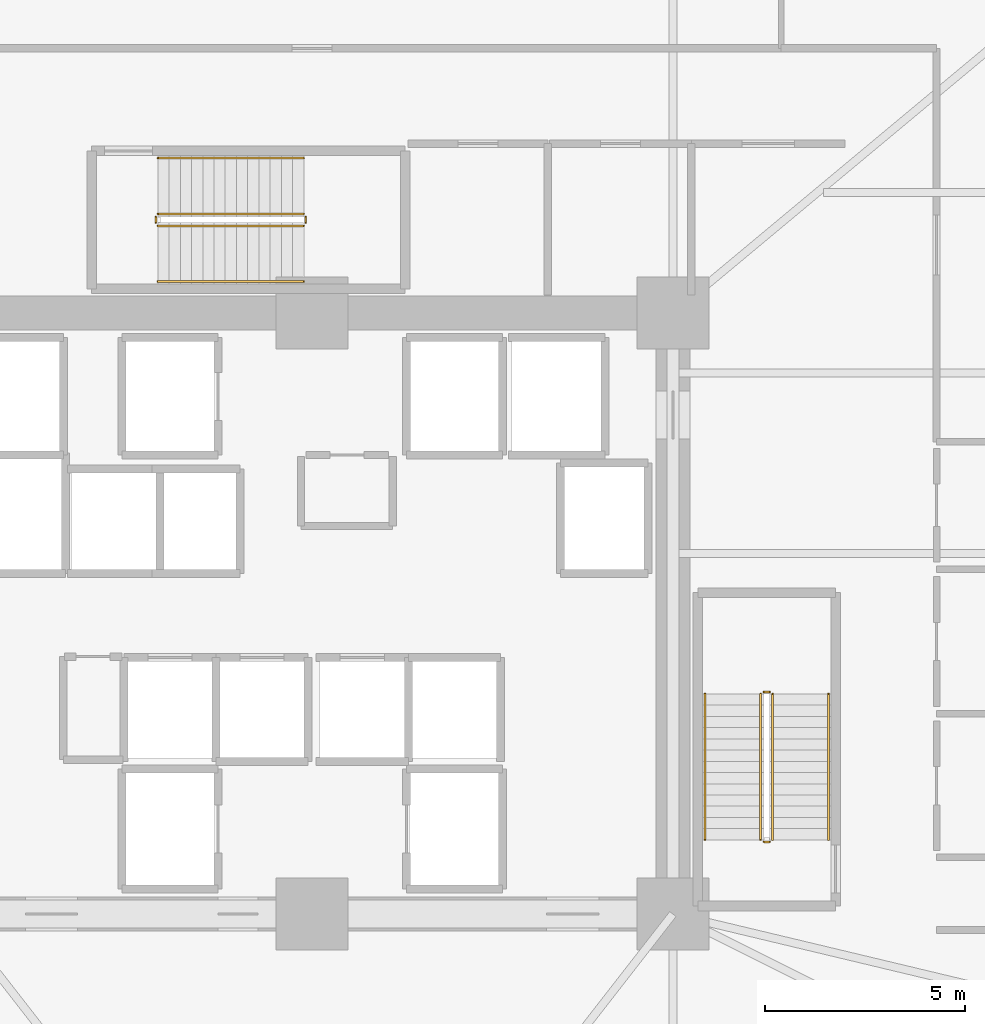
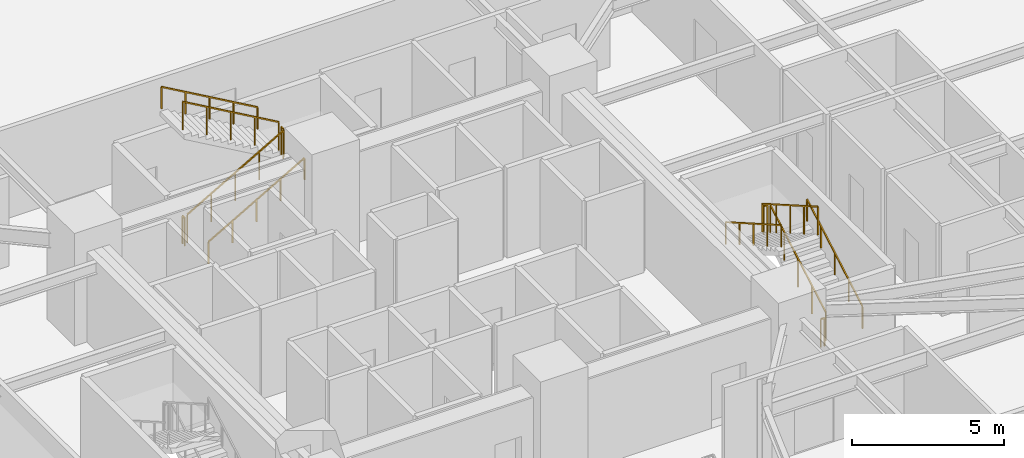
# One storey, part 17 of 19: 12 railings.
"""IFC4 building model written with IfcOpenShell, lengths in metres."""

from ifc_helpers import new_model, si_unit, direction, frame, origin, origin_2d, place, context, subcontext, project, spatial, rectangle, extrude, material, type_object, element, save


model = new_model("IFC4")

# Units and contexts
model_context = context("Model", 3, precision=1e-05, world=origin(), true_north=direction((0.0, 1.0)))
body_context = subcontext(model_context, "Body", "Model", "MODEL_VIEW")
ifc_project = project(units=[si_unit("LENGTHUNIT", "METRE"), si_unit("AREAUNIT", "SQUARE_METRE"), si_unit("VOLUMEUNIT", "CUBIC_METRE"), si_unit("PLANEANGLEUNIT", "RADIAN"), si_unit("MASSUNIT", "GRAM", prefix="KILO")], contexts=[model_context])

# Site, building, storey
site_placement = place(None, origin())
site = spatial("IfcSite", under=ifc_project, at=site_placement, CompositionType="ELEMENT")
building_placement = place(site_placement, origin())
building = spatial("IfcBuilding", under=site, at=building_placement, Name="Liaohun Quay Tower", CompositionType="ELEMENT")
storey_placement = place(building_placement, frame((0.0, 0.0, 18.89990234375)))
storey = spatial("IfcBuildingStorey", under=building, at=storey_placement, Name="L05", CompositionType="ELEMENT", Elevation=18.89990234375)

# Railings
ifc_material_1 = material(Name="Painted tubular steel", Category="steel")
railing_type_1 = type_object("IfcRailingType", Name="RLG-GUARD-STR", PredefinedType="GUARDRAIL", material=ifc_material_1)
railing_1_placement = place(storey_placement, frame((71.489990234375, 48.35009765625, 0.160888671875)))
element("IfcRailing", 1, at=railing_1_placement, inside=storey, type_object=railing_type_1, Name="L05 ST-2 stair guard 1", PredefinedType="GUARDRAIL", context=body_context, shape_type="SweptSolid", body=[
    extrude(rectangle(XDim=0.048095703125, YDim=0.048095703125, at=origin_2d()), frame((0.0, 0.0, 1.1259765625), z_axis=(0.0, 0.867300072446, 0.497785681127), x_axis=(-1.0, 0.0, 0.0)), (0.0, 0.0, 1.0), 4.19677734375),
    extrude(rectangle(XDim=0.0419921875, YDim=0.0419921875, at=origin_2d()), origin(), (0.0, 0.0, 1.0), 1.101806640625),
    extrude(rectangle(XDim=0.0419921875, YDim=0.0419921875, at=origin_2d()), frame((0.0, 0.909912109375, 0.522216796875)), (0.0, 0.0, 1.0), 1.101806640625),
    extrude(rectangle(XDim=0.0419921875, YDim=0.0419921875, at=origin_2d()), frame((0.0, 1.81982421875, 1.04443359375)), (0.0, 0.0, 1.0), 1.101806640625),
    extrude(rectangle(XDim=0.0419921875, YDim=0.0419921875, at=origin_2d()), frame((0.0, 2.72998046875, 1.56689453125)), (0.0, 0.0, 1.0), 1.101806640625),
    extrude(rectangle(XDim=0.0419921875, YDim=0.0419921875, at=origin_2d()), frame((0.0, 3.639892578125, 2.089111328125)), (0.0, 0.0, 1.0), 1.101806640625),
])
railing_2_placement = place(storey_placement, frame((71.409912109375, 52.0400390625, 2.25)))
element("IfcRailing", 2, at=railing_2_placement, inside=storey, type_object=railing_type_1, Name="L05 ST-2 stair guard 2", PredefinedType="GUARDRAIL", context=body_context, shape_type="SweptSolid", body=[
    extrude(rectangle(XDim=0.048095703125, YDim=0.048095703125, at=origin_2d()), frame((0.0, 0.0, 1.1259765625), z_axis=(-1.0, 0.0, 0.0), x_axis=(0.0, -1.0, 0.0)), (0.0, 0.0, 1.0), 0.139892578125),
    extrude(rectangle(XDim=0.0419921875, YDim=0.0419921875, at=origin_2d()), origin(), (0.0, 0.0, 1.0), 1.101806640625),
    extrude(rectangle(XDim=0.0419921875, YDim=0.0419921875, at=origin_2d()), frame((-0.139892578125, 0.0, 0.0)), (0.0, 0.0, 1.0), 1.101806640625),
])
railing_3_placement = place(storey_placement, frame((71.18994140625, 51.989990234375, 2.410888671875)))
element("IfcRailing", 3, at=railing_3_placement, inside=storey, type_object=railing_type_1, Name="L05 ST-2 stair guard 3", PredefinedType="GUARDRAIL", context=body_context, shape_type="SweptSolid", body=[
    extrude(rectangle(XDim=0.048095703125, YDim=0.048095703125, at=origin_2d()), frame((0.0, 0.0, 1.1259765625), z_axis=(0.0, -0.867300072446, 0.497785681127), x_axis=(1.0, 0.0, 0.0)), (0.0, 0.0, 1.0), 4.19677734375),
    extrude(rectangle(XDim=0.0419921875, YDim=0.0419921875, at=origin_2d()), origin(), (0.0, 0.0, 1.0), 1.101806640625),
    extrude(rectangle(XDim=0.0419921875, YDim=0.0419921875, at=origin_2d()), frame((0.0, -0.909912109375, 0.522216796875)), (0.0, 0.0, 1.0), 1.101806640625),
    extrude(rectangle(XDim=0.0419921875, YDim=0.0419921875, at=origin_2d()), frame((0.0, -1.81982421875, 1.04443359375)), (0.0, 0.0, 1.0), 1.101806640625),
    extrude(rectangle(XDim=0.0419921875, YDim=0.0419921875, at=origin_2d()), frame((0.0, -2.72998046875, 1.56689453125)), (0.0, 0.0, 1.0), 1.101806640625),
    extrude(rectangle(XDim=0.0419921875, YDim=0.0419921875, at=origin_2d()), frame((0.0, -3.639892578125, 2.089111328125)), (0.0, 0.0, 1.0), 1.101806640625),
])
railing_4_placement = place(storey_placement, frame((71.409912109375, 48.300048828125, 0.0)))
element("IfcRailing", 4, at=railing_4_placement, inside=storey, type_object=railing_type_1, Name="L05 ST-2 stair guard 4", PredefinedType="GUARDRAIL", context=body_context, shape_type="SweptSolid", body=[
    extrude(rectangle(XDim=0.048095703125, YDim=0.048095703125, at=origin_2d()), frame((0.0, 0.0, 1.1259765625), z_axis=(-1.0, 0.0, 0.0), x_axis=(0.0, -1.0, 0.0)), (0.0, 0.0, 1.0), 0.139892578125),
    extrude(rectangle(XDim=0.0419921875, YDim=0.0419921875, at=origin_2d()), origin(), (0.0, 0.0, 1.0), 1.101806640625),
    extrude(rectangle(XDim=0.0419921875, YDim=0.0419921875, at=origin_2d()), frame((-0.139892578125, 0.0, 0.0)), (0.0, 0.0, 1.0), 1.101806640625),
])
railing_5_placement = place(storey_placement, frame((56.14990234375, 63.669921875, 0.160888671875)))
element("IfcRailing", 5, at=railing_5_placement, inside=storey, type_object=railing_type_1, Name="L05 ST-3 stair guard 1", PredefinedType="GUARDRAIL", context=body_context, shape_type="SweptSolid", body=[
    extrude(rectangle(XDim=0.048095703125, YDim=0.048095703125, at=origin_2d()), frame((0.0, 0.0, 1.1259765625), z_axis=(0.867314486057, 0.0, 0.497760567216), x_axis=(0.0, 1.0, 0.0)), (0.0, 0.0, 1.0), 4.197021484375),
    extrude(rectangle(XDim=0.0419921875, YDim=0.0419921875, at=origin_2d()), origin(), (0.0, 0.0, 1.0), 1.101806640625),
    extrude(rectangle(XDim=0.0419921875, YDim=0.0419921875, at=origin_2d()), frame((0.91015625, 0.0, 0.522216796875)), (0.0, 0.0, 1.0), 1.101806640625),
    extrude(rectangle(XDim=0.0419921875, YDim=0.0419921875, at=origin_2d()), frame((1.820068359375, 0.0, 1.04443359375)), (0.0, 0.0, 1.0), 1.101806640625),
    extrude(rectangle(XDim=0.0419921875, YDim=0.0419921875, at=origin_2d()), frame((2.72998046875, 0.0, 1.56689453125)), (0.0, 0.0, 1.0), 1.101806640625),
    extrude(rectangle(XDim=0.0419921875, YDim=0.0419921875, at=origin_2d()), frame((3.64013671875, 0.0, 2.089111328125)), (0.0, 0.0, 1.0), 1.101806640625),
])
railing_6_placement = place(storey_placement, frame((59.840087890625, 63.75, 2.25)))
element("IfcRailing", 6, at=railing_6_placement, inside=storey, type_object=railing_type_1, Name="L05 ST-3 stair guard 2", PredefinedType="GUARDRAIL", context=body_context, shape_type="SweptSolid", body=[
    extrude(rectangle(XDim=0.048095703125, YDim=0.048095703125, at=origin_2d()), frame((0.0, 0.0, 1.1259765625), z_axis=(0.0, 1.0, 0.0), x_axis=(-1.0, 0.0, 0.0)), (0.0, 0.0, 1.0), 0.139892578125),
    extrude(rectangle(XDim=0.0419921875, YDim=0.0419921875, at=origin_2d()), origin(), (0.0, 0.0, 1.0), 1.101806640625),
    extrude(rectangle(XDim=0.0419921875, YDim=0.0419921875, at=origin_2d()), frame((0.0, 0.139892578125, 0.0)), (0.0, 0.0, 1.0), 1.101806640625),
])
railing_7_placement = place(storey_placement, frame((59.7900390625, 63.969970703125, 2.410888671875)))
element("IfcRailing", 7, at=railing_7_placement, inside=storey, type_object=railing_type_1, Name="L05 ST-3 stair guard 3", PredefinedType="GUARDRAIL", context=body_context, shape_type="SweptSolid", body=[
    extrude(rectangle(XDim=0.048095703125, YDim=0.048095703125, at=origin_2d()), frame((0.0, 0.0, 1.1259765625), z_axis=(-0.867314486057, 0.0, 0.497760567216), x_axis=(0.0, -1.0, 0.0)), (0.0, 0.0, 1.0), 4.197021484375),
    extrude(rectangle(XDim=0.0419921875, YDim=0.0419921875, at=origin_2d()), origin(), (0.0, 0.0, 1.0), 1.101806640625),
    extrude(rectangle(XDim=0.0419921875, YDim=0.0419921875, at=origin_2d()), frame((-0.91015625, 0.0, 0.522216796875)), (0.0, 0.0, 1.0), 1.101806640625),
    extrude(rectangle(XDim=0.0419921875, YDim=0.0419921875, at=origin_2d()), frame((-1.820068359375, 0.0, 1.04443359375)), (0.0, 0.0, 1.0), 1.101806640625),
    extrude(rectangle(XDim=0.0419921875, YDim=0.0419921875, at=origin_2d()), frame((-2.72998046875, 0.0, 1.56689453125)), (0.0, 0.0, 1.0), 1.101806640625),
    extrude(rectangle(XDim=0.0419921875, YDim=0.0419921875, at=origin_2d()), frame((-3.64013671875, 0.0, 2.089111328125)), (0.0, 0.0, 1.0), 1.101806640625),
])
railing_8_placement = place(storey_placement, frame((56.10009765625, 63.75, 0.0)))
element("IfcRailing", 8, at=railing_8_placement, inside=storey, type_object=railing_type_1, Name="L05 ST-3 stair guard 4", PredefinedType="GUARDRAIL", context=body_context, shape_type="SweptSolid", body=[
    extrude(rectangle(XDim=0.048095703125, YDim=0.048095703125, at=origin_2d()), frame((0.0, 0.0, 1.1259765625), z_axis=(0.0, 1.0, 0.0), x_axis=(-1.0, 0.0, 0.0)), (0.0, 0.0, 1.0), 0.139892578125),
    extrude(rectangle(XDim=0.0419921875, YDim=0.0419921875, at=origin_2d()), origin(), (0.0, 0.0, 1.0), 1.101806640625),
    extrude(rectangle(XDim=0.0419921875, YDim=0.0419921875, at=origin_2d()), frame((0.0, 0.139892578125, 0.0)), (0.0, 0.0, 1.0), 1.101806640625),
])
ifc_material_2 = material(Name="Brushed stainless steel", Category="steel")
railing_type_2 = type_object("IfcRailingType", Name="RLG-HND-STR", PredefinedType="HANDRAIL", material=ifc_material_2)
railing_9_placement = place(storey_placement, frame((72.8798828125, 48.35009765625, 0.160888671875)))
element("IfcRailing", 9, at=railing_9_placement, inside=storey, type_object=railing_type_2, Name="L05 ST-2 stair handrail 1", PredefinedType="HANDRAIL", context=body_context, shape_type="SweptSolid", body=[
    extrude(rectangle(XDim=0.048095703125, YDim=0.048095703125, at=origin_2d()), frame((0.0, 0.0, 0.8759765625), z_axis=(0.0, 0.867300072446, 0.497785681127), x_axis=(-1.0, 0.0, 0.0)), (0.0, 0.0, 1.0), 4.19677734375),
    extrude(rectangle(XDim=0.0419921875, YDim=0.0419921875, at=origin_2d()), origin(), (0.0, 0.0, 1.0), 0.851806640625),
    extrude(rectangle(XDim=0.0419921875, YDim=0.0419921875, at=origin_2d()), frame((0.0, 0.909912109375, 0.522216796875)), (0.0, 0.0, 1.0), 0.851806640625),
    extrude(rectangle(XDim=0.0419921875, YDim=0.0419921875, at=origin_2d()), frame((0.0, 1.81982421875, 1.04443359375)), (0.0, 0.0, 1.0), 0.851806640625),
    extrude(rectangle(XDim=0.0419921875, YDim=0.0419921875, at=origin_2d()), frame((0.0, 2.72998046875, 1.56689453125)), (0.0, 0.0, 1.0), 0.851806640625),
    extrude(rectangle(XDim=0.0419921875, YDim=0.0419921875, at=origin_2d()), frame((0.0, 3.639892578125, 2.089111328125)), (0.0, 0.0, 1.0), 0.851806640625),
])
railing_10_placement = place(storey_placement, frame((69.800048828125, 51.989990234375, 2.410888671875)))
element("IfcRailing", 10, at=railing_10_placement, inside=storey, type_object=railing_type_2, Name="L05 ST-2 stair handrail 2", PredefinedType="HANDRAIL", context=body_context, shape_type="SweptSolid", body=[
    extrude(rectangle(XDim=0.048095703125, YDim=0.048095703125, at=origin_2d()), frame((0.0, 0.0, 0.8759765625), z_axis=(0.0, -0.867300072446, 0.497785681127), x_axis=(1.0, 0.0, 0.0)), (0.0, 0.0, 1.0), 4.19677734375),
    extrude(rectangle(XDim=0.0419921875, YDim=0.0419921875, at=origin_2d()), origin(), (0.0, 0.0, 1.0), 0.851806640625),
    extrude(rectangle(XDim=0.0419921875, YDim=0.0419921875, at=origin_2d()), frame((0.0, -0.909912109375, 0.522216796875)), (0.0, 0.0, 1.0), 0.851806640625),
    extrude(rectangle(XDim=0.0419921875, YDim=0.0419921875, at=origin_2d()), frame((0.0, -1.81982421875, 1.04443359375)), (0.0, 0.0, 1.0), 0.851806640625),
    extrude(rectangle(XDim=0.0419921875, YDim=0.0419921875, at=origin_2d()), frame((0.0, -2.72998046875, 1.56689453125)), (0.0, 0.0, 1.0), 0.851806640625),
    extrude(rectangle(XDim=0.0419921875, YDim=0.0419921875, at=origin_2d()), frame((0.0, -3.639892578125, 2.089111328125)), (0.0, 0.0, 1.0), 0.851806640625),
])
railing_11_placement = place(storey_placement, frame((56.14990234375, 62.280029296875, 0.160888671875)))
element("IfcRailing", 11, at=railing_11_placement, inside=storey, type_object=railing_type_2, Name="L05 ST-3 stair handrail 1", PredefinedType="HANDRAIL", context=body_context, shape_type="SweptSolid", body=[
    extrude(rectangle(XDim=0.048095703125, YDim=0.048095703125, at=origin_2d()), frame((0.0, 0.0, 0.8759765625), z_axis=(0.867314486057, 0.0, 0.497760567216), x_axis=(0.0, 1.0, 0.0)), (0.0, 0.0, 1.0), 4.197021484375),
    extrude(rectangle(XDim=0.0419921875, YDim=0.0419921875, at=origin_2d()), origin(), (0.0, 0.0, 1.0), 0.851806640625),
    extrude(rectangle(XDim=0.0419921875, YDim=0.0419921875, at=origin_2d()), frame((0.91015625, 0.0, 0.522216796875)), (0.0, 0.0, 1.0), 0.851806640625),
    extrude(rectangle(XDim=0.0419921875, YDim=0.0419921875, at=origin_2d()), frame((1.820068359375, 0.0, 1.04443359375)), (0.0, 0.0, 1.0), 0.851806640625),
    extrude(rectangle(XDim=0.0419921875, YDim=0.0419921875, at=origin_2d()), frame((2.72998046875, 0.0, 1.56689453125)), (0.0, 0.0, 1.0), 0.851806640625),
    extrude(rectangle(XDim=0.0419921875, YDim=0.0419921875, at=origin_2d()), frame((3.64013671875, 0.0, 2.089111328125)), (0.0, 0.0, 1.0), 0.851806640625),
])
railing_12_placement = place(storey_placement, frame((59.7900390625, 65.360107421875, 2.410888671875)))
element("IfcRailing", 12, at=railing_12_placement, inside=storey, type_object=railing_type_2, Name="L05 ST-3 stair handrail 2", PredefinedType="HANDRAIL", context=body_context, shape_type="SweptSolid", body=[
    extrude(rectangle(XDim=0.048095703125, YDim=0.048095703125, at=origin_2d()), frame((0.0, 0.0, 0.8759765625), z_axis=(-0.867314486057, 0.0, 0.497760567216), x_axis=(0.0, -1.0, 0.0)), (0.0, 0.0, 1.0), 4.197021484375),
    extrude(rectangle(XDim=0.0419921875, YDim=0.0419921875, at=origin_2d()), origin(), (0.0, 0.0, 1.0), 0.851806640625),
    extrude(rectangle(XDim=0.0419921875, YDim=0.0419921875, at=origin_2d()), frame((-0.91015625, 0.0, 0.522216796875)), (0.0, 0.0, 1.0), 0.851806640625),
    extrude(rectangle(XDim=0.0419921875, YDim=0.0419921875, at=origin_2d()), frame((-1.820068359375, 0.0, 1.04443359375)), (0.0, 0.0, 1.0), 0.851806640625),
    extrude(rectangle(XDim=0.0419921875, YDim=0.0419921875, at=origin_2d()), frame((-2.72998046875, 0.0, 1.56689453125)), (0.0, 0.0, 1.0), 0.851806640625),
    extrude(rectangle(XDim=0.0419921875, YDim=0.0419921875, at=origin_2d()), frame((-3.64013671875, 0.0, 2.089111328125)), (0.0, 0.0, 1.0), 0.851806640625),
])

save(model, "model.ifc")
